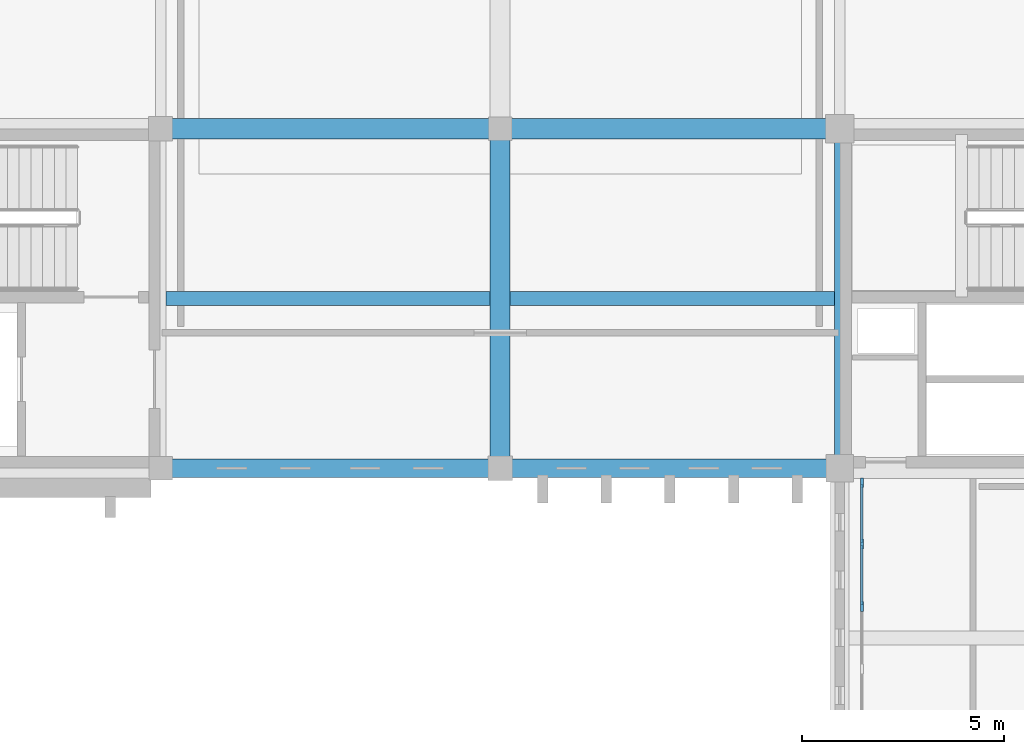
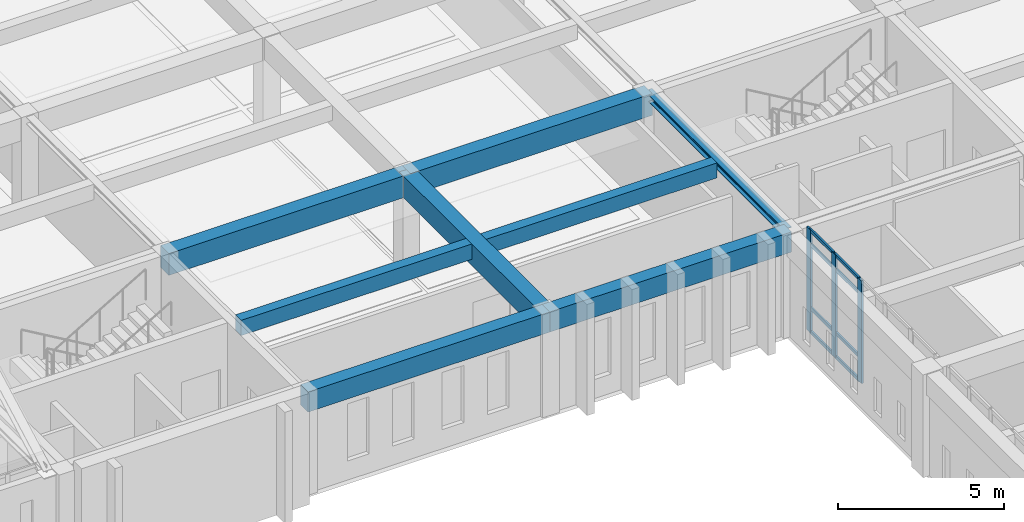
# One storey, part 35 of 110: 11 members, 8 beams, 1 element without a shape of its own.
"""IFC4 building model written with IfcOpenShell, lengths in metres."""

from ifc_helpers import new_model, si_unit, direction, frame, origin, origin_2d, place, context, subcontext, project, spatial, rectangle, i_section, extrude, material, layer, layer_set, material_profile, profile_set, type_object, element, aggregate, save


model = new_model("IFC4")

# Units and contexts
model_context = context("Model", 3, precision=1e-05, world=origin(), true_north=direction((0.0, 1.0)))
body_context = subcontext(model_context, "Body", "Model", "MODEL_VIEW")
ifc_project = project(units=[si_unit("LENGTHUNIT", "METRE"), si_unit("AREAUNIT", "SQUARE_METRE"), si_unit("VOLUMEUNIT", "CUBIC_METRE"), si_unit("PLANEANGLEUNIT", "RADIAN"), si_unit("MASSUNIT", "GRAM", prefix="KILO")], contexts=[model_context])

# Site, building, storey
site_placement = place(None, origin())
site = spatial("IfcSite", under=ifc_project, at=site_placement, CompositionType="ELEMENT")
building_placement = place(site_placement, origin())
building = spatial("IfcBuilding", under=site, at=building_placement, Name="Kveldsbrygga Polytechnic", CompositionType="ELEMENT")
storey_placement = place(building_placement, frame((0.0, 0.0, 9.860107421875)))
storey = spatial("IfcBuildingStorey", under=building, at=storey_placement, Name="L02", CompositionType="ELEMENT", Elevation=9.860107421875)

# Beams
ifc_material_1 = material(Name="Concrete C35/45", Category="concrete")
ifc_material_profile_1 = material_profile(ifc_material_1, rectangle(XDim=0.4599609375, YDim=0.739990234375, at=origin_2d()), Name="RC 460x740")
ifc_profile_set_1 = profile_set([ifc_material_profile_1], Name="Concrete C35/45")
beam_type_1 = type_object("IfcBeamType", Name="BM-RC-460x740", PredefinedType="BEAM", material=ifc_profile_set_1)
beam_1_placement = place(storey_placement, frame((109.199951171875, 84.0, 3.3798828125), z_axis=(1.0, 0.0, 0.0), x_axis=(0.0, 1.0, 0.0)))
element("IfcBeam", 1, at=beam_1_placement, inside=storey, type_object=beam_type_1, Name="Primary Beam BMX-L02-13to14-10", PredefinedType="BEAM", context=body_context, shape_type="SweptSolid", body=[
    extrude(rectangle(XDim=0.4599609375, YDim=0.739990234375, at=origin_2d()), origin(), (0.0, 0.0, 1.0), 8.400146484375),
])
beam_2_placement = place(storey_placement, frame((117.60009765625, 84.0, 3.3798828125), z_axis=(1.0, 0.0, 0.0), x_axis=(0.0, 1.0, 0.0)))
element("IfcBeam", 2, at=beam_2_placement, inside=storey, type_object=beam_type_1, Name="Primary Beam BMX-L02-14to15-10", PredefinedType="BEAM", context=body_context, shape_type="SweptSolid", body=[
    extrude(rectangle(XDim=0.4599609375, YDim=0.739990234375, at=origin_2d()), origin(), (0.0, 0.0, 1.0), 8.39990234375),
])
ifc_material_profile_2 = material_profile(ifc_material_1, rectangle(XDim=0.5, YDim=0.800048828125, at=origin_2d()), Name="RC 500x800")
ifc_profile_set_2 = profile_set([ifc_material_profile_2], Name="Concrete C35/45")
beam_type_2 = type_object("IfcBeamType", Name="BM-RC-500x800", PredefinedType="BEAM", material=ifc_profile_set_2)
beam_3_placement = place(storey_placement, frame((109.199951171875, 92.39990234375, 3.349853515625), z_axis=(1.0, 0.0, 0.0), x_axis=(0.0, 1.0, 0.0)))
element("IfcBeam", 3, at=beam_3_placement, inside=storey, type_object=beam_type_2, Name="Primary Beam BMX-L02-13to14-11", PredefinedType="BEAM", context=body_context, shape_type="SweptSolid", body=[
    extrude(rectangle(XDim=0.5, YDim=0.800048828125, at=origin_2d()), origin(), (0.0, 0.0, 1.0), 8.400146484375),
])
for number, where, z_axis, x_axis, name in (
    (4, (117.60009765625, 92.39990234375, 3.349853515625), (1.0, 0.0, 0.0), (0.0, 1.0, 0.0), "Primary Beam BMX-L02-14to15-11"),
    (5, (117.60009765625, 84.0, 3.349853515625), (0.0, 1.0, 0.0), (-1.0, 0.0, 0.0), "Primary Beam BMY-L02-14-10to11"),
):
    element("IfcBeam", number, at=place(storey_placement, frame(where, z_axis=z_axis, x_axis=x_axis)), inside=storey, type_object=beam_type_2, Name=name, PredefinedType="BEAM", context=body_context, shape_type="SweptSolid", body=[
        extrude(rectangle(XDim=0.5, YDim=0.800048828125, at=origin_2d()), origin(), (0.0, 0.0, 1.0), 8.39990234375),
    ])
ifc_material_2 = material(Name="Steel S355", Category="steel")
ifc_material_profile_3 = material_profile(ifc_material_2, i_section(OverallWidth=0.260009765625, OverallDepth=0.260009765625, WebThickness=0.010009765625, FlangeThickness=0.017578125, FilletRadius=0.02392578125, at=origin_2d()), Name="HEB 260")
ifc_profile_set_3 = profile_set([ifc_material_profile_3], Name="Steel S355")
beam_type_3 = type_object("IfcBeamType", Name="BM-STL-HEB260", PredefinedType="BEAM", material=ifc_profile_set_3)
beam_4_placement = place(storey_placement, frame((126.0, 84.0, 3.619873046875), z_axis=(0.0, 1.0, 0.0), x_axis=(-1.0, 0.0, 0.0)))
element("IfcBeam", 6, at=beam_4_placement, inside=storey, type_object=beam_type_3, Name="Primary Beam BMY-L02-15-10to11", PredefinedType="BEAM", context=body_context, shape_type="SweptSolid", body=[
    extrude(i_section(OverallWidth=0.260009765625, OverallDepth=0.260009765625, WebThickness=0.010009765625, FlangeThickness=0.017578125, FilletRadius=0.02392578125, at=origin_2d()), origin(), (0.0, 0.0, 1.0), 8.39990234375),
])

# Curtain wall, members
ifc_material_3 = material(Name="Anodised aluminium AW-6060", Category="aluminium")
ifc_layer = layer(ifc_material_3, 0.179931640625)
ifc_layer_set = layer_set([ifc_layer], Name="Anodised aluminium AW-6060")
curtain_wall_type = type_object("IfcCurtainWallType", Name="CW-LANC-D", PredefinedType="USERDEFINED", material=ifc_layer_set)
curtain_wall_placement = place(storey_placement, origin())
curtain_wall = element("IfcCurtainWall", 7, at=curtain_wall_placement, inside=storey, type_object=curtain_wall_type, Name="Curtain Wall CW-L02-Y-15-09", ObjectType="UNITISED CURTAIN WALL", PredefinedType="USERDEFINED")
ifc_material_profile_4 = material_profile(ifc_material_3, rectangle(XDim=0.074951171875, YDim=0.239990234375, at=origin_2d()), Name="ALU 75x240")
ifc_profile_set_4 = profile_set([ifc_material_profile_4], Name="Anodised aluminium AW-6060")
member_type_1 = type_object("IfcMemberType", Name="CW-MUL-240", PredefinedType="MULLION", material=ifc_profile_set_4)
member_1_placement = place(storey_placement, frame((126.550048828125, 80.5791015625, 0.0), z_axis=(0.0, 0.0, 1.0), x_axis=(-1.0, 0.0, 0.0)))
member_1 = element("IfcMember", 8, at=member_1_placement, type_object=member_type_1, Name="CW-04 mullion 4", PredefinedType="MULLION", context=body_context, shape_type="SweptSolid", body=[
    extrude(rectangle(XDim=0.074951171875, YDim=0.239990234375, at=origin_2d()), origin(), (0.0, 0.0, 1.0), 3.77978515625),
])
member_2_placement = place(storey_placement, frame((126.550048828125, 82.126953125, 0.0), z_axis=(0.0, 0.0, 1.0), x_axis=(-1.0, 0.0, 0.0)))
member_2 = element("IfcMember", 9, at=member_2_placement, type_object=member_type_1, Name="CW-04 mullion 5", PredefinedType="MULLION", context=body_context, shape_type="SweptSolid", body=[
    extrude(rectangle(XDim=0.074951171875, YDim=0.239990234375, at=origin_2d()), origin(), (0.0, 0.0, 1.0), 3.77978515625),
])
member_3_placement = place(storey_placement, frame((126.550048828125, 83.637451171875, 0.0), z_axis=(0.0, 0.0, 1.0), x_axis=(-1.0, 0.0, 0.0)))
member_3 = element("IfcMember", 10, at=member_3_placement, type_object=member_type_1, Name="CW-04 mullion 6", PredefinedType="MULLION", context=body_context, shape_type="SweptSolid", body=[
    extrude(rectangle(XDim=0.074951171875, YDim=0.239990234375, at=origin_2d()), origin(), (0.0, 0.0, 1.0), 3.77978515625),
])
ifc_material_profile_5 = material_profile(ifc_material_3, rectangle(XDim=0.06005859375, YDim=0.1201171875, at=origin_2d()), Name="ALU 60x120")
ifc_profile_set_5 = profile_set([ifc_material_profile_5], Name="Anodised aluminium AW-6060")
member_type_2 = type_object("IfcMemberType", Name="CW-TRN-120", PredefinedType="USERDEFINED", material=ifc_profile_set_5)
member_4_placement = place(storey_placement, frame((126.550048828125, 80.616455078125, 0.02978515625), z_axis=(0.0, 1.0, 0.0), x_axis=(-1.0, 0.0, 0.0)))
member_4 = element("IfcMember", 11, at=member_4_placement, type_object=member_type_2, Name="CW-04 transom 4.1", ObjectType="TRANSOM", PredefinedType="USERDEFINED", context=body_context, shape_type="SweptSolid", body=[
    extrude(rectangle(XDim=0.06005859375, YDim=0.1201171875, at=origin_2d()), origin(), (0.0, 0.0, 1.0), 1.47314453125),
])
member_5_placement = place(storey_placement, frame((126.550048828125, 80.616455078125, 0.89990234375), z_axis=(0.0, 1.0, 0.0), x_axis=(-1.0, 0.0, 0.0)))
member_5 = element("IfcMember", 12, at=member_5_placement, type_object=member_type_2, Name="CW-04 transom 4.2", ObjectType="TRANSOM", PredefinedType="USERDEFINED", context=body_context, shape_type="SweptSolid", body=[
    extrude(rectangle(XDim=0.06005859375, YDim=0.1201171875, at=origin_2d()), origin(), (0.0, 0.0, 1.0), 1.47314453125),
])
member_6_placement = place(storey_placement, frame((126.550048828125, 80.616455078125, 3.22998046875), z_axis=(0.0, 1.0, 0.0), x_axis=(-1.0, 0.0, 0.0)))
member_6 = element("IfcMember", 13, at=member_6_placement, type_object=member_type_2, Name="CW-04 transom 4.3", ObjectType="TRANSOM", PredefinedType="USERDEFINED", context=body_context, shape_type="SweptSolid", body=[
    extrude(rectangle(XDim=0.06005859375, YDim=0.1201171875, at=origin_2d()), origin(), (0.0, 0.0, 1.0), 1.47314453125),
])
member_7_placement = place(storey_placement, frame((126.550048828125, 80.616455078125, 3.75), z_axis=(0.0, 1.0, 0.0), x_axis=(-1.0, 0.0, 0.0)))
member_7 = element("IfcMember", 14, at=member_7_placement, type_object=member_type_2, Name="CW-04 transom 4.4", ObjectType="TRANSOM", PredefinedType="USERDEFINED", context=body_context, shape_type="SweptSolid", body=[
    extrude(rectangle(XDim=0.06005859375, YDim=0.1201171875, at=origin_2d()), origin(), (0.0, 0.0, 1.0), 1.47314453125),
])
member_8_placement = place(storey_placement, frame((126.550048828125, 82.16455078125, 0.02978515625), z_axis=(0.0, 1.0, 0.0), x_axis=(-1.0, 0.0, 0.0)))
member_8 = element("IfcMember", 15, at=member_8_placement, type_object=member_type_2, Name="CW-04 transom 5.1", ObjectType="TRANSOM", PredefinedType="USERDEFINED", context=body_context, shape_type="SweptSolid", body=[
    extrude(rectangle(XDim=0.06005859375, YDim=0.1201171875, at=origin_2d()), origin(), (0.0, 0.0, 1.0), 1.435546875),
])
member_9_placement = place(storey_placement, frame((126.550048828125, 82.16455078125, 0.89990234375), z_axis=(0.0, 1.0, 0.0), x_axis=(-1.0, 0.0, 0.0)))
member_9 = element("IfcMember", 16, at=member_9_placement, type_object=member_type_2, Name="CW-04 transom 5.2", ObjectType="TRANSOM", PredefinedType="USERDEFINED", context=body_context, shape_type="SweptSolid", body=[
    extrude(rectangle(XDim=0.06005859375, YDim=0.1201171875, at=origin_2d()), origin(), (0.0, 0.0, 1.0), 1.435546875),
])
member_10_placement = place(storey_placement, frame((126.550048828125, 82.16455078125, 3.22998046875), z_axis=(0.0, 1.0, 0.0), x_axis=(-1.0, 0.0, 0.0)))
member_10 = element("IfcMember", 17, at=member_10_placement, type_object=member_type_2, Name="CW-04 transom 5.3", ObjectType="TRANSOM", PredefinedType="USERDEFINED", context=body_context, shape_type="SweptSolid", body=[
    extrude(rectangle(XDim=0.06005859375, YDim=0.1201171875, at=origin_2d()), origin(), (0.0, 0.0, 1.0), 1.435546875),
])
member_11_placement = place(storey_placement, frame((126.550048828125, 82.16455078125, 3.75), z_axis=(0.0, 1.0, 0.0), x_axis=(-1.0, 0.0, 0.0)))
member_11 = element("IfcMember", 18, at=member_11_placement, type_object=member_type_2, Name="CW-04 transom 5.4", ObjectType="TRANSOM", PredefinedType="USERDEFINED", context=body_context, shape_type="SweptSolid", body=[
    extrude(rectangle(XDim=0.06005859375, YDim=0.1201171875, at=origin_2d()), origin(), (0.0, 0.0, 1.0), 1.435546875),
])
aggregate(curtain_wall, [member_1, member_2, member_3, member_4, member_5, member_6, member_7, member_8, member_9, member_10, member_11])

# Beams
ifc_material_profile_6 = material_profile(ifc_material_1, rectangle(XDim=0.340087890625, YDim=0.56005859375, at=origin_2d()), Name="RC 340x560")
ifc_profile_set_6 = profile_set([ifc_material_profile_6], Name="Concrete C35/45")
beam_type_4 = type_object("IfcBeamType", Name="JST-RC-340x560", PredefinedType="JOIST", material=ifc_profile_set_6)
beam_5_placement = place(storey_placement, frame((109.330078125, 88.199951171875, 3.469970703125), z_axis=(1.0, 0.0, 0.0), x_axis=(0.0, 1.0, 0.0)))
element("IfcBeam", 19, at=beam_5_placement, inside=storey, type_object=beam_type_4, Name="Secondary Joist JST-L02-13-10", PredefinedType="JOIST", context=body_context, shape_type="SweptSolid", body=[
    extrude(rectangle(XDim=0.340087890625, YDim=0.56005859375, at=origin_2d()), origin(), (0.0, 0.0, 1.0), 8.02001953125),
])
ifc_material_profile_7 = material_profile(ifc_material_1, rectangle(XDim=0.35009765625, YDim=0.550048828125, at=origin_2d()), Name="RC 350x550")
ifc_profile_set_7 = profile_set([ifc_material_profile_7], Name="Concrete C35/45")
beam_type_5 = type_object("IfcBeamType", Name="JST-RC-350x550", PredefinedType="JOIST", material=ifc_profile_set_7)
beam_6_placement = place(storey_placement, frame((117.85009765625, 88.199951171875, 3.474853515625), z_axis=(1.0, 0.0, 0.0), x_axis=(0.0, 1.0, 0.0)))
element("IfcBeam", 20, at=beam_6_placement, inside=storey, type_object=beam_type_5, Name="Secondary Joist JST-L02-14-10", PredefinedType="JOIST", context=body_context, shape_type="SweptSolid", body=[
    extrude(rectangle(XDim=0.35009765625, YDim=0.550048828125, at=origin_2d()), origin(), (0.0, 0.0, 1.0), 8.02001953125),
])

save(model, "model.ifc")
